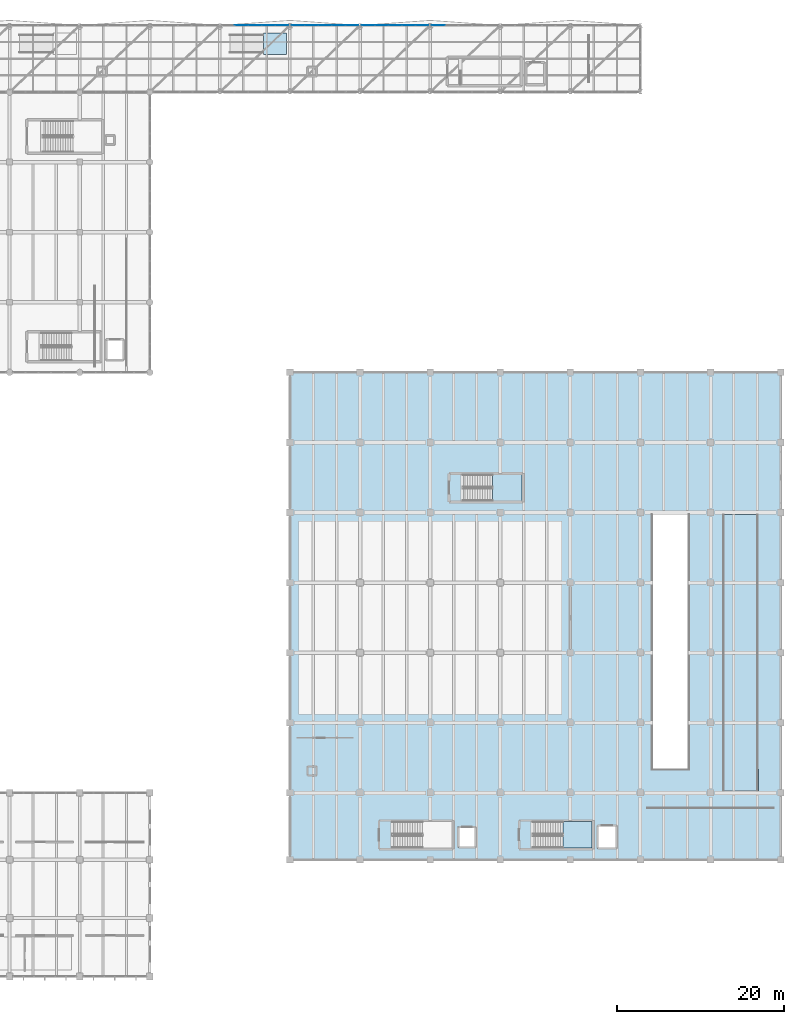
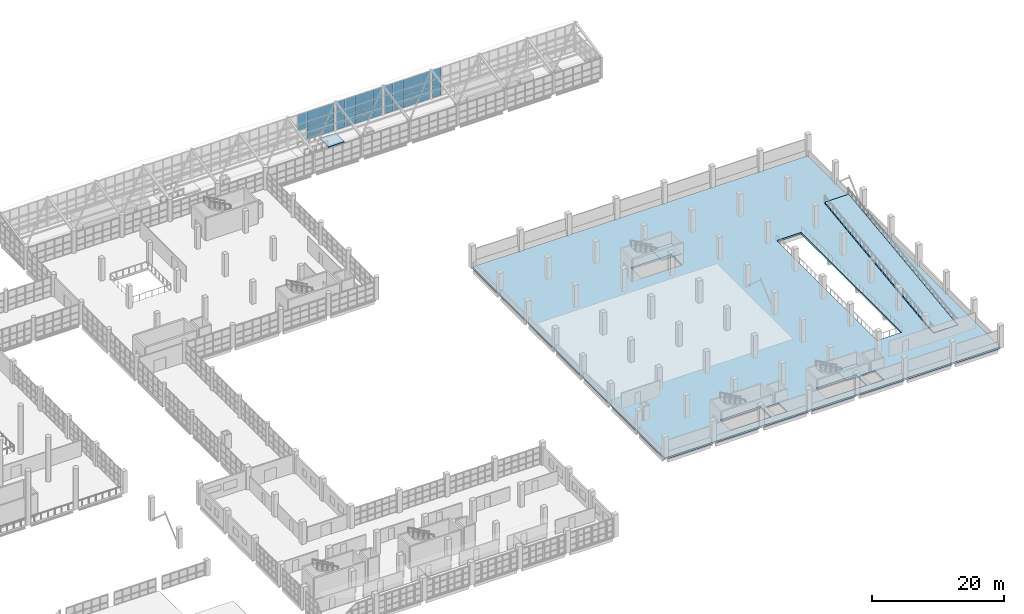
# One storey, part 138 of 177: 58 plates, 5 slabs, 6 elements without a shape of their own.
"""IFC4 building model written with IfcOpenShell, lengths in metres."""

from ifc_helpers import new_model, si_unit, direction, frame, origin, origin_2d, place, context, subcontext, project, spatial, polyline, rectangle, outline, extrude, material, layer, layer_set, type_object, element, aggregate, save


model = new_model("IFC4")

# Units and contexts
model_context = context("Model", 3, precision=1e-05, world=origin(), true_north=direction((0.0, 1.0)))
body_context = subcontext(model_context, "Body", "Model", "MODEL_VIEW")
ifc_project = project(units=[si_unit("LENGTHUNIT", "METRE"), si_unit("AREAUNIT", "SQUARE_METRE"), si_unit("VOLUMEUNIT", "CUBIC_METRE"), si_unit("PLANEANGLEUNIT", "RADIAN"), si_unit("MASSUNIT", "GRAM", prefix="KILO"), si_unit("THERMODYNAMICTEMPERATUREUNIT", "KELVIN"), si_unit("POWERUNIT", "WATT")], contexts=[model_context])

# Site, building, storey
site_placement = place(None, origin())
site = spatial("IfcSite", under=ifc_project, at=site_placement, CompositionType="ELEMENT")
building_placement = place(site_placement, origin())
building = spatial("IfcBuilding", under=site, at=building_placement, Name="Mavoryth Pier Ferry Terminal", CompositionType="ELEMENT")
storey_placement = place(building_placement, frame((0.0, 0.0, 5.43994140625)))
storey = spatial("IfcBuildingStorey", under=building, at=storey_placement, Name="L01", CompositionType="ELEMENT", Elevation=5.43994140625)

# Curtain wall, plates
ifc_material_1 = material(Name="Anodised Aluminium and Solar-Control Low-E Glass", Category="aluminium")
ifc_layer_1 = layer(ifc_material_1, 0.139892578125, Name="Anodised Aluminium and Solar-Control Low-E Glass", Category="aluminium")
ifc_layer_set_1 = layer_set([ifc_layer_1], Name="Anodised Aluminium and Solar-Control Low-E Glass - CW-Gallery-Mod1600")
curtain_wall_type = type_object("IfcCurtainWallType", Name="CW-Gallery-Mod1600", PredefinedType="USERDEFINED", material=ifc_layer_set_1)
curtain_wall_1_placement = place(storey_placement, origin())
curtain_wall_1 = element("IfcCurtainWall", 1, at=curtain_wall_1_placement, inside=storey, type_object=curtain_wall_type, Name="Curtain Wall CW-0122-084", ObjectType="UNITISED CURTAIN WALL", PredefinedType="USERDEFINED")
ifc_material_2 = material(Name="Solar-Control Low-E Laminated Double Glazing", Category="glass")
ifc_layer_2 = layer(ifc_material_2, 0.02392578125, Name="Solar-Control Low-E Laminated Double Glazing", Category="glass")
ifc_layer_set_2 = layer_set([ifc_layer_2], Name="Solar-Control Low-E Laminated Double Glazing - Panel-LowE-DGU-24")
plate_type = type_object("IfcPlateType", Name="Panel-LowE-DGU-24", PredefinedType="CURTAIN_PANEL", material=ifc_layer_set_2)
plate_1_placement = place(storey_placement, frame((108.22509765625, 114.0, 0.06005859375), z_axis=(0.0, 0.0, 1.0), x_axis=(-1.0, 0.0, 0.0)))
plate_1 = element("IfcPlate", 2, at=plate_1_placement, type_object=plate_type, Name="CW05 panel 1.1", PredefinedType="CURTAIN_PANEL", context=body_context, shape_type="SweptSolid", body=[
    extrude(rectangle(XDim=1.530029296875, YDim=0.02392578125, at=origin_2d()), origin(), (0.0, 0.0, 1.0), 0.9599609375),
])
plate_2_placement = place(storey_placement, frame((108.22509765625, 114.0, 1.080078125), z_axis=(0.0, 0.0, 1.0), x_axis=(-1.0, 0.0, 0.0)))
plate_2 = element("IfcPlate", 3, at=plate_2_placement, type_object=plate_type, Name="CW05 panel 1.2", PredefinedType="CURTAIN_PANEL", context=body_context, shape_type="SweptSolid", body=[
    extrude(rectangle(XDim=1.530029296875, YDim=0.02392578125, at=origin_2d()), origin(), (0.0, 0.0, 1.0), 1.139892578125),
])
plate_3_placement = place(storey_placement, frame((108.22509765625, 114.0, 2.2802734375), z_axis=(0.0, 0.0, 1.0), x_axis=(-1.0, 0.0, 0.0)))
plate_3 = element("IfcPlate", 4, at=plate_3_placement, type_object=plate_type, Name="CW05 panel 1.3", PredefinedType="CURTAIN_PANEL", context=body_context, shape_type="SweptSolid", body=[
    extrude(rectangle(XDim=1.530029296875, YDim=0.02392578125, at=origin_2d()), origin(), (0.0, 0.0, 1.0), 0.989990234375),
])
plate_4_placement = place(storey_placement, frame((108.22509765625, 114.0, 3.330078125), z_axis=(0.0, 0.0, 1.0), x_axis=(-1.0, 0.0, 0.0)))
plate_4 = element("IfcPlate", 5, at=plate_4_placement, type_object=plate_type, Name="CW05 panel 1.4", PredefinedType="CURTAIN_PANEL", context=body_context, shape_type="SweptSolid", body=[
    extrude(rectangle(XDim=1.530029296875, YDim=0.02392578125, at=origin_2d()), origin(), (0.0, 0.0, 1.0), 1.897705078125),
])
plate_5_placement = place(storey_placement, frame((106.6201171875, 114.0, 0.06005859375), z_axis=(0.0, 0.0, 1.0), x_axis=(-1.0, 0.0, 0.0)))
plate_5 = element("IfcPlate", 6, at=plate_5_placement, type_object=plate_type, Name="CW05 panel 2.1", PredefinedType="CURTAIN_PANEL", context=body_context, shape_type="SweptSolid", body=[
    extrude(rectangle(XDim=1.56005859375, YDim=0.02392578125, at=origin_2d()), origin(), (0.0, 0.0, 1.0), 0.9599609375),
])
plate_6_placement = place(storey_placement, frame((106.6201171875, 114.0, 1.080078125), z_axis=(0.0, 0.0, 1.0), x_axis=(-1.0, 0.0, 0.0)))
plate_6 = element("IfcPlate", 7, at=plate_6_placement, type_object=plate_type, Name="CW05 panel 2.2", PredefinedType="CURTAIN_PANEL", context=body_context, shape_type="SweptSolid", body=[
    extrude(rectangle(XDim=1.56005859375, YDim=0.02392578125, at=origin_2d()), origin(), (0.0, 0.0, 1.0), 1.139892578125),
])
plate_7_placement = place(storey_placement, frame((106.6201171875, 114.0, 2.2802734375), z_axis=(0.0, 0.0, 1.0), x_axis=(-1.0, 0.0, 0.0)))
plate_7 = element("IfcPlate", 8, at=plate_7_placement, type_object=plate_type, Name="CW05 panel 2.3", PredefinedType="CURTAIN_PANEL", context=body_context, shape_type="SweptSolid", body=[
    extrude(rectangle(XDim=1.56005859375, YDim=0.02392578125, at=origin_2d()), origin(), (0.0, 0.0, 1.0), 0.989990234375),
])
plate_8_placement = place(storey_placement, frame((106.6201171875, 114.0, 3.330078125), z_axis=(0.0, 0.0, 1.0), x_axis=(-1.0, 0.0, 0.0)))
plate_8 = element("IfcPlate", 9, at=plate_8_placement, type_object=plate_type, Name="CW05 panel 2.4", PredefinedType="CURTAIN_PANEL", context=body_context, shape_type="SweptSolid", body=[
    extrude(rectangle(XDim=1.56005859375, YDim=0.02392578125, at=origin_2d()), origin(), (0.0, 0.0, 1.0), 1.897705078125),
])
plate_9_placement = place(storey_placement, frame((105.0, 114.0, 0.06005859375), z_axis=(0.0, 0.0, 1.0), x_axis=(-1.0, 0.0, 0.0)))
plate_9 = element("IfcPlate", 10, at=plate_9_placement, type_object=plate_type, Name="CW05 panel 3.1", PredefinedType="CURTAIN_PANEL", context=body_context, shape_type="SweptSolid", body=[
    extrude(rectangle(XDim=1.56005859375, YDim=0.02392578125, at=origin_2d()), origin(), (0.0, 0.0, 1.0), 0.9599609375),
])
plate_10_placement = place(storey_placement, frame((105.0, 114.0, 1.080078125), z_axis=(0.0, 0.0, 1.0), x_axis=(-1.0, 0.0, 0.0)))
plate_10 = element("IfcPlate", 11, at=plate_10_placement, type_object=plate_type, Name="CW05 panel 3.2", PredefinedType="CURTAIN_PANEL", context=body_context, shape_type="SweptSolid", body=[
    extrude(rectangle(XDim=1.56005859375, YDim=0.02392578125, at=origin_2d()), origin(), (0.0, 0.0, 1.0), 1.139892578125),
])
plate_11_placement = place(storey_placement, frame((105.0, 114.0, 2.2802734375), z_axis=(0.0, 0.0, 1.0), x_axis=(-1.0, 0.0, 0.0)))
plate_11 = element("IfcPlate", 12, at=plate_11_placement, type_object=plate_type, Name="CW05 panel 3.3", PredefinedType="CURTAIN_PANEL", context=body_context, shape_type="SweptSolid", body=[
    extrude(rectangle(XDim=1.56005859375, YDim=0.02392578125, at=origin_2d()), origin(), (0.0, 0.0, 1.0), 0.989990234375),
])
plate_12_placement = place(storey_placement, frame((105.0, 114.0, 3.330078125), z_axis=(0.0, 0.0, 1.0), x_axis=(-1.0, 0.0, 0.0)))
plate_12 = element("IfcPlate", 13, at=plate_12_placement, type_object=plate_type, Name="CW05 panel 3.4", PredefinedType="CURTAIN_PANEL", context=body_context, shape_type="SweptSolid", body=[
    extrude(rectangle(XDim=1.56005859375, YDim=0.02392578125, at=origin_2d()), origin(), (0.0, 0.0, 1.0), 1.897705078125),
])
plate_13_placement = place(storey_placement, frame((103.3798828125, 114.0, 2.2802734375), z_axis=(0.0, 0.0, 1.0), x_axis=(-1.0, 0.0, 0.0)))
plate_13 = element("IfcPlate", 14, at=plate_13_placement, type_object=plate_type, Name="CW05 panel 4.3", PredefinedType="CURTAIN_PANEL", context=body_context, shape_type="SweptSolid", body=[
    extrude(rectangle(XDim=1.56005859375, YDim=0.02392578125, at=origin_2d()), origin(), (0.0, 0.0, 1.0), 0.989990234375),
])
plate_14_placement = place(storey_placement, frame((103.3798828125, 114.0, 3.330078125), z_axis=(0.0, 0.0, 1.0), x_axis=(-1.0, 0.0, 0.0)))
plate_14 = element("IfcPlate", 15, at=plate_14_placement, type_object=plate_type, Name="CW05 panel 4.4", PredefinedType="CURTAIN_PANEL", context=body_context, shape_type="SweptSolid", body=[
    extrude(rectangle(XDim=1.56005859375, YDim=0.02392578125, at=origin_2d()), origin(), (0.0, 0.0, 1.0), 1.897705078125),
])
aggregate(curtain_wall_1, [plate_1, plate_2, plate_3, plate_4, plate_5, plate_6, plate_7, plate_8, plate_9, plate_10, plate_11, plate_12, plate_13, plate_14])

curtain_wall_2_placement = place(storey_placement, origin())
curtain_wall_2 = element("IfcCurtainWall", 16, at=curtain_wall_2_placement, inside=storey, type_object=curtain_wall_type, Name="Curtain Wall CW-0122-086", ObjectType="UNITISED CURTAIN WALL", PredefinedType="USERDEFINED")
plate_15_placement = place(storey_placement, frame((116.625, 114.0, 0.06005859375), z_axis=(0.0, 0.0, 1.0), x_axis=(-1.0, 0.0, 0.0)))
plate_15 = element("IfcPlate", 17, at=plate_15_placement, type_object=plate_type, Name="CW05 panel 1.1", PredefinedType="CURTAIN_PANEL", context=body_context, shape_type="SweptSolid", body=[
    extrude(rectangle(XDim=1.530029296875, YDim=0.02392578125, at=origin_2d()), origin(), (0.0, 0.0, 1.0), 0.9599609375),
])
plate_16_placement = place(storey_placement, frame((116.625, 114.0, 1.080078125), z_axis=(0.0, 0.0, 1.0), x_axis=(-1.0, 0.0, 0.0)))
plate_16 = element("IfcPlate", 18, at=plate_16_placement, type_object=plate_type, Name="CW05 panel 1.2", PredefinedType="CURTAIN_PANEL", context=body_context, shape_type="SweptSolid", body=[
    extrude(rectangle(XDim=1.530029296875, YDim=0.02392578125, at=origin_2d()), origin(), (0.0, 0.0, 1.0), 1.139892578125),
])
plate_17_placement = place(storey_placement, frame((116.625, 114.0, 2.2802734375), z_axis=(0.0, 0.0, 1.0), x_axis=(-1.0, 0.0, 0.0)))
plate_17 = element("IfcPlate", 19, at=plate_17_placement, type_object=plate_type, Name="CW05 panel 1.3", PredefinedType="CURTAIN_PANEL", context=body_context, shape_type="SweptSolid", body=[
    extrude(rectangle(XDim=1.530029296875, YDim=0.02392578125, at=origin_2d()), origin(), (0.0, 0.0, 1.0), 0.989990234375),
])
plate_18_placement = place(storey_placement, frame((116.625, 114.0, 3.330078125), z_axis=(0.0, 0.0, 1.0), x_axis=(-1.0, 0.0, 0.0)))
plate_18 = element("IfcPlate", 20, at=plate_18_placement, type_object=plate_type, Name="CW05 panel 1.4", PredefinedType="CURTAIN_PANEL", context=body_context, shape_type="SweptSolid", body=[
    extrude(rectangle(XDim=1.530029296875, YDim=0.02392578125, at=origin_2d()), origin(), (0.0, 0.0, 1.0), 1.897705078125),
])
plate_19_placement = place(storey_placement, frame((115.02001953125, 114.0, 0.06005859375), z_axis=(0.0, 0.0, 1.0), x_axis=(-1.0, 0.0, 0.0)))
plate_19 = element("IfcPlate", 21, at=plate_19_placement, type_object=plate_type, Name="CW05 panel 2.1", PredefinedType="CURTAIN_PANEL", context=body_context, shape_type="SweptSolid", body=[
    extrude(rectangle(XDim=1.56005859375, YDim=0.02392578125, at=origin_2d()), origin(), (0.0, 0.0, 1.0), 0.9599609375),
])
plate_20_placement = place(storey_placement, frame((115.02001953125, 114.0, 1.080078125), z_axis=(0.0, 0.0, 1.0), x_axis=(-1.0, 0.0, 0.0)))
plate_20 = element("IfcPlate", 22, at=plate_20_placement, type_object=plate_type, Name="CW05 panel 2.2", PredefinedType="CURTAIN_PANEL", context=body_context, shape_type="SweptSolid", body=[
    extrude(rectangle(XDim=1.56005859375, YDim=0.02392578125, at=origin_2d()), origin(), (0.0, 0.0, 1.0), 1.139892578125),
])
plate_21_placement = place(storey_placement, frame((115.02001953125, 114.0, 2.2802734375), z_axis=(0.0, 0.0, 1.0), x_axis=(-1.0, 0.0, 0.0)))
plate_21 = element("IfcPlate", 23, at=plate_21_placement, type_object=plate_type, Name="CW05 panel 2.3", PredefinedType="CURTAIN_PANEL", context=body_context, shape_type="SweptSolid", body=[
    extrude(rectangle(XDim=1.56005859375, YDim=0.02392578125, at=origin_2d()), origin(), (0.0, 0.0, 1.0), 0.989990234375),
])
plate_22_placement = place(storey_placement, frame((115.02001953125, 114.0, 3.330078125), z_axis=(0.0, 0.0, 1.0), x_axis=(-1.0, 0.0, 0.0)))
plate_22 = element("IfcPlate", 24, at=plate_22_placement, type_object=plate_type, Name="CW05 panel 2.4", PredefinedType="CURTAIN_PANEL", context=body_context, shape_type="SweptSolid", body=[
    extrude(rectangle(XDim=1.56005859375, YDim=0.02392578125, at=origin_2d()), origin(), (0.0, 0.0, 1.0), 1.897705078125),
])
plate_23_placement = place(storey_placement, frame((113.39990234375, 114.0, 0.06005859375), z_axis=(0.0, 0.0, 1.0), x_axis=(-1.0, 0.0, 0.0)))
plate_23 = element("IfcPlate", 25, at=plate_23_placement, type_object=plate_type, Name="CW05 panel 3.1", PredefinedType="CURTAIN_PANEL", context=body_context, shape_type="SweptSolid", body=[
    extrude(rectangle(XDim=1.56005859375, YDim=0.02392578125, at=origin_2d()), origin(), (0.0, 0.0, 1.0), 0.9599609375),
])
plate_24_placement = place(storey_placement, frame((113.39990234375, 114.0, 1.080078125), z_axis=(0.0, 0.0, 1.0), x_axis=(-1.0, 0.0, 0.0)))
plate_24 = element("IfcPlate", 26, at=plate_24_placement, type_object=plate_type, Name="CW05 panel 3.2", PredefinedType="CURTAIN_PANEL", context=body_context, shape_type="SweptSolid", body=[
    extrude(rectangle(XDim=1.56005859375, YDim=0.02392578125, at=origin_2d()), origin(), (0.0, 0.0, 1.0), 1.139892578125),
])
plate_25_placement = place(storey_placement, frame((113.39990234375, 114.0, 2.2802734375), z_axis=(0.0, 0.0, 1.0), x_axis=(-1.0, 0.0, 0.0)))
plate_25 = element("IfcPlate", 27, at=plate_25_placement, type_object=plate_type, Name="CW05 panel 3.3", PredefinedType="CURTAIN_PANEL", context=body_context, shape_type="SweptSolid", body=[
    extrude(rectangle(XDim=1.56005859375, YDim=0.02392578125, at=origin_2d()), origin(), (0.0, 0.0, 1.0), 0.989990234375),
])
plate_26_placement = place(storey_placement, frame((113.39990234375, 114.0, 3.330078125), z_axis=(0.0, 0.0, 1.0), x_axis=(-1.0, 0.0, 0.0)))
plate_26 = element("IfcPlate", 28, at=plate_26_placement, type_object=plate_type, Name="CW05 panel 3.4", PredefinedType="CURTAIN_PANEL", context=body_context, shape_type="SweptSolid", body=[
    extrude(rectangle(XDim=1.56005859375, YDim=0.02392578125, at=origin_2d()), origin(), (0.0, 0.0, 1.0), 1.897705078125),
])
plate_27_placement = place(storey_placement, frame((111.780029296875, 114.0, 0.06005859375), z_axis=(0.0, 0.0, 1.0), x_axis=(-1.0, 0.0, 0.0)))
plate_27 = element("IfcPlate", 29, at=plate_27_placement, type_object=plate_type, Name="CW05 panel 4.1", PredefinedType="CURTAIN_PANEL", context=body_context, shape_type="SweptSolid", body=[
    extrude(rectangle(XDim=1.56005859375, YDim=0.02392578125, at=origin_2d()), origin(), (0.0, 0.0, 1.0), 0.9599609375),
])
plate_28_placement = place(storey_placement, frame((111.780029296875, 114.0, 1.080078125), z_axis=(0.0, 0.0, 1.0), x_axis=(-1.0, 0.0, 0.0)))
plate_28 = element("IfcPlate", 30, at=plate_28_placement, type_object=plate_type, Name="CW05 panel 4.2", PredefinedType="CURTAIN_PANEL", context=body_context, shape_type="SweptSolid", body=[
    extrude(rectangle(XDim=1.56005859375, YDim=0.02392578125, at=origin_2d()), origin(), (0.0, 0.0, 1.0), 1.139892578125),
])
plate_29_placement = place(storey_placement, frame((111.780029296875, 114.0, 2.2802734375), z_axis=(0.0, 0.0, 1.0), x_axis=(-1.0, 0.0, 0.0)))
plate_29 = element("IfcPlate", 31, at=plate_29_placement, type_object=plate_type, Name="CW05 panel 4.3", PredefinedType="CURTAIN_PANEL", context=body_context, shape_type="SweptSolid", body=[
    extrude(rectangle(XDim=1.56005859375, YDim=0.02392578125, at=origin_2d()), origin(), (0.0, 0.0, 1.0), 0.989990234375),
])
plate_30_placement = place(storey_placement, frame((111.780029296875, 114.0, 3.330078125), z_axis=(0.0, 0.0, 1.0), x_axis=(-1.0, 0.0, 0.0)))
plate_30 = element("IfcPlate", 32, at=plate_30_placement, type_object=plate_type, Name="CW05 panel 4.4", PredefinedType="CURTAIN_PANEL", context=body_context, shape_type="SweptSolid", body=[
    extrude(rectangle(XDim=1.56005859375, YDim=0.02392578125, at=origin_2d()), origin(), (0.0, 0.0, 1.0), 1.897705078125),
])
plate_31_placement = place(storey_placement, frame((110.175048828125, 114.0, 0.06005859375), z_axis=(0.0, 0.0, 1.0), x_axis=(-1.0, 0.0, 0.0)))
plate_31 = element("IfcPlate", 33, at=plate_31_placement, type_object=plate_type, Name="CW05 panel 5.1", PredefinedType="CURTAIN_PANEL", context=body_context, shape_type="SweptSolid", body=[
    extrude(rectangle(XDim=1.530029296875, YDim=0.02392578125, at=origin_2d()), origin(), (0.0, 0.0, 1.0), 0.9599609375),
])
plate_32_placement = place(storey_placement, frame((110.175048828125, 114.0, 1.080078125), z_axis=(0.0, 0.0, 1.0), x_axis=(-1.0, 0.0, 0.0)))
plate_32 = element("IfcPlate", 34, at=plate_32_placement, type_object=plate_type, Name="CW05 panel 5.2", PredefinedType="CURTAIN_PANEL", context=body_context, shape_type="SweptSolid", body=[
    extrude(rectangle(XDim=1.530029296875, YDim=0.02392578125, at=origin_2d()), origin(), (0.0, 0.0, 1.0), 1.139892578125),
])
plate_33_placement = place(storey_placement, frame((110.175048828125, 114.0, 2.2802734375), z_axis=(0.0, 0.0, 1.0), x_axis=(-1.0, 0.0, 0.0)))
plate_33 = element("IfcPlate", 35, at=plate_33_placement, type_object=plate_type, Name="CW05 panel 5.3", PredefinedType="CURTAIN_PANEL", context=body_context, shape_type="SweptSolid", body=[
    extrude(rectangle(XDim=1.530029296875, YDim=0.02392578125, at=origin_2d()), origin(), (0.0, 0.0, 1.0), 0.989990234375),
])
plate_34_placement = place(storey_placement, frame((110.175048828125, 114.0, 3.330078125), z_axis=(0.0, 0.0, 1.0), x_axis=(-1.0, 0.0, 0.0)))
plate_34 = element("IfcPlate", 36, at=plate_34_placement, type_object=plate_type, Name="CW05 panel 5.4", PredefinedType="CURTAIN_PANEL", context=body_context, shape_type="SweptSolid", body=[
    extrude(rectangle(XDim=1.530029296875, YDim=0.02392578125, at=origin_2d()), origin(), (0.0, 0.0, 1.0), 1.897705078125),
])
aggregate(curtain_wall_2, [plate_15, plate_16, plate_17, plate_18, plate_19, plate_20, plate_21, plate_22, plate_23, plate_24, plate_25, plate_26, plate_27, plate_28, plate_29, plate_30, plate_31, plate_32, plate_33, plate_34])

curtain_wall_3_placement = place(storey_placement, origin())
curtain_wall_3 = element("IfcCurtainWall", 37, at=curtain_wall_3_placement, inside=storey, type_object=curtain_wall_type, Name="Curtain Wall CW-0122-088", ObjectType="UNITISED CURTAIN WALL", PredefinedType="USERDEFINED")
plate_35_placement = place(storey_placement, frame((125.02490234375, 114.0, 0.06005859375), z_axis=(0.0, 0.0, 1.0), x_axis=(-1.0, 0.0, 0.0)))
plate_35 = element("IfcPlate", 38, at=plate_35_placement, type_object=plate_type, Name="CW05 panel 1.1", PredefinedType="CURTAIN_PANEL", context=body_context, shape_type="SweptSolid", body=[
    extrude(rectangle(XDim=1.530029296875, YDim=0.02392578125, at=origin_2d()), origin(), (0.0, 0.0, 1.0), 0.9599609375),
])
plate_36_placement = place(storey_placement, frame((125.02490234375, 114.0, 1.080078125), z_axis=(0.0, 0.0, 1.0), x_axis=(-1.0, 0.0, 0.0)))
plate_36 = element("IfcPlate", 39, at=plate_36_placement, type_object=plate_type, Name="CW05 panel 1.2", PredefinedType="CURTAIN_PANEL", context=body_context, shape_type="SweptSolid", body=[
    extrude(rectangle(XDim=1.530029296875, YDim=0.02392578125, at=origin_2d()), origin(), (0.0, 0.0, 1.0), 1.139892578125),
])
plate_37_placement = place(storey_placement, frame((125.02490234375, 114.0, 2.2802734375), z_axis=(0.0, 0.0, 1.0), x_axis=(-1.0, 0.0, 0.0)))
plate_37 = element("IfcPlate", 40, at=plate_37_placement, type_object=plate_type, Name="CW05 panel 1.3", PredefinedType="CURTAIN_PANEL", context=body_context, shape_type="SweptSolid", body=[
    extrude(rectangle(XDim=1.530029296875, YDim=0.02392578125, at=origin_2d()), origin(), (0.0, 0.0, 1.0), 0.989990234375),
])
plate_38_placement = place(storey_placement, frame((125.02490234375, 114.0, 3.330078125), z_axis=(0.0, 0.0, 1.0), x_axis=(-1.0, 0.0, 0.0)))
plate_38 = element("IfcPlate", 41, at=plate_38_placement, type_object=plate_type, Name="CW05 panel 1.4", PredefinedType="CURTAIN_PANEL", context=body_context, shape_type="SweptSolid", body=[
    extrude(rectangle(XDim=1.530029296875, YDim=0.02392578125, at=origin_2d()), origin(), (0.0, 0.0, 1.0), 1.897705078125),
])
plate_39_placement = place(storey_placement, frame((123.419921875, 114.0, 0.06005859375), z_axis=(0.0, 0.0, 1.0), x_axis=(-1.0, 0.0, 0.0)))
plate_39 = element("IfcPlate", 42, at=plate_39_placement, type_object=plate_type, Name="CW05 panel 2.1", PredefinedType="CURTAIN_PANEL", context=body_context, shape_type="SweptSolid", body=[
    extrude(rectangle(XDim=1.56005859375, YDim=0.02392578125, at=origin_2d()), origin(), (0.0, 0.0, 1.0), 0.9599609375),
])
plate_40_placement = place(storey_placement, frame((123.419921875, 114.0, 1.080078125), z_axis=(0.0, 0.0, 1.0), x_axis=(-1.0, 0.0, 0.0)))
plate_40 = element("IfcPlate", 43, at=plate_40_placement, type_object=plate_type, Name="CW05 panel 2.2", PredefinedType="CURTAIN_PANEL", context=body_context, shape_type="SweptSolid", body=[
    extrude(rectangle(XDim=1.56005859375, YDim=0.02392578125, at=origin_2d()), origin(), (0.0, 0.0, 1.0), 1.139892578125),
])
plate_41_placement = place(storey_placement, frame((123.419921875, 114.0, 2.2802734375), z_axis=(0.0, 0.0, 1.0), x_axis=(-1.0, 0.0, 0.0)))
plate_41 = element("IfcPlate", 44, at=plate_41_placement, type_object=plate_type, Name="CW05 panel 2.3", PredefinedType="CURTAIN_PANEL", context=body_context, shape_type="SweptSolid", body=[
    extrude(rectangle(XDim=1.56005859375, YDim=0.02392578125, at=origin_2d()), origin(), (0.0, 0.0, 1.0), 0.989990234375),
])
plate_42_placement = place(storey_placement, frame((123.419921875, 114.0, 3.330078125), z_axis=(0.0, 0.0, 1.0), x_axis=(-1.0, 0.0, 0.0)))
plate_42 = element("IfcPlate", 45, at=plate_42_placement, type_object=plate_type, Name="CW05 panel 2.4", PredefinedType="CURTAIN_PANEL", context=body_context, shape_type="SweptSolid", body=[
    extrude(rectangle(XDim=1.56005859375, YDim=0.02392578125, at=origin_2d()), origin(), (0.0, 0.0, 1.0), 1.897705078125),
])
plate_43_placement = place(storey_placement, frame((121.800048828125, 114.0, 0.06005859375), z_axis=(0.0, 0.0, 1.0), x_axis=(-1.0, 0.0, 0.0)))
plate_43 = element("IfcPlate", 46, at=plate_43_placement, type_object=plate_type, Name="CW05 panel 3.1", PredefinedType="CURTAIN_PANEL", context=body_context, shape_type="SweptSolid", body=[
    extrude(rectangle(XDim=1.56005859375, YDim=0.02392578125, at=origin_2d()), origin(), (0.0, 0.0, 1.0), 0.9599609375),
])
plate_44_placement = place(storey_placement, frame((121.800048828125, 114.0, 1.080078125), z_axis=(0.0, 0.0, 1.0), x_axis=(-1.0, 0.0, 0.0)))
plate_44 = element("IfcPlate", 47, at=plate_44_placement, type_object=plate_type, Name="CW05 panel 3.2", PredefinedType="CURTAIN_PANEL", context=body_context, shape_type="SweptSolid", body=[
    extrude(rectangle(XDim=1.56005859375, YDim=0.02392578125, at=origin_2d()), origin(), (0.0, 0.0, 1.0), 1.139892578125),
])
plate_45_placement = place(storey_placement, frame((121.800048828125, 114.0, 2.2802734375), z_axis=(0.0, 0.0, 1.0), x_axis=(-1.0, 0.0, 0.0)))
plate_45 = element("IfcPlate", 48, at=plate_45_placement, type_object=plate_type, Name="CW05 panel 3.3", PredefinedType="CURTAIN_PANEL", context=body_context, shape_type="SweptSolid", body=[
    extrude(rectangle(XDim=1.56005859375, YDim=0.02392578125, at=origin_2d()), origin(), (0.0, 0.0, 1.0), 0.989990234375),
])
plate_46_placement = place(storey_placement, frame((121.800048828125, 114.0, 3.330078125), z_axis=(0.0, 0.0, 1.0), x_axis=(-1.0, 0.0, 0.0)))
plate_46 = element("IfcPlate", 49, at=plate_46_placement, type_object=plate_type, Name="CW05 panel 3.4", PredefinedType="CURTAIN_PANEL", context=body_context, shape_type="SweptSolid", body=[
    extrude(rectangle(XDim=1.56005859375, YDim=0.02392578125, at=origin_2d()), origin(), (0.0, 0.0, 1.0), 1.897705078125),
])
plate_47_placement = place(storey_placement, frame((120.179931640625, 114.0, 0.06005859375), z_axis=(0.0, 0.0, 1.0), x_axis=(-1.0, 0.0, 0.0)))
plate_47 = element("IfcPlate", 50, at=plate_47_placement, type_object=plate_type, Name="CW05 panel 4.1", PredefinedType="CURTAIN_PANEL", context=body_context, shape_type="SweptSolid", body=[
    extrude(rectangle(XDim=1.56005859375, YDim=0.02392578125, at=origin_2d()), origin(), (0.0, 0.0, 1.0), 0.9599609375),
])
plate_48_placement = place(storey_placement, frame((120.179931640625, 114.0, 1.080078125), z_axis=(0.0, 0.0, 1.0), x_axis=(-1.0, 0.0, 0.0)))
plate_48 = element("IfcPlate", 51, at=plate_48_placement, type_object=plate_type, Name="CW05 panel 4.2", PredefinedType="CURTAIN_PANEL", context=body_context, shape_type="SweptSolid", body=[
    extrude(rectangle(XDim=1.56005859375, YDim=0.02392578125, at=origin_2d()), origin(), (0.0, 0.0, 1.0), 1.139892578125),
])
plate_49_placement = place(storey_placement, frame((120.179931640625, 114.0, 2.2802734375), z_axis=(0.0, 0.0, 1.0), x_axis=(-1.0, 0.0, 0.0)))
plate_49 = element("IfcPlate", 52, at=plate_49_placement, type_object=plate_type, Name="CW05 panel 4.3", PredefinedType="CURTAIN_PANEL", context=body_context, shape_type="SweptSolid", body=[
    extrude(rectangle(XDim=1.56005859375, YDim=0.02392578125, at=origin_2d()), origin(), (0.0, 0.0, 1.0), 0.989990234375),
])
plate_50_placement = place(storey_placement, frame((120.179931640625, 114.0, 3.330078125), z_axis=(0.0, 0.0, 1.0), x_axis=(-1.0, 0.0, 0.0)))
plate_50 = element("IfcPlate", 53, at=plate_50_placement, type_object=plate_type, Name="CW05 panel 4.4", PredefinedType="CURTAIN_PANEL", context=body_context, shape_type="SweptSolid", body=[
    extrude(rectangle(XDim=1.56005859375, YDim=0.02392578125, at=origin_2d()), origin(), (0.0, 0.0, 1.0), 1.897705078125),
])
plate_51_placement = place(storey_placement, frame((118.574951171875, 114.0, 0.06005859375), z_axis=(0.0, 0.0, 1.0), x_axis=(-1.0, 0.0, 0.0)))
plate_51 = element("IfcPlate", 54, at=plate_51_placement, type_object=plate_type, Name="CW05 panel 5.1", PredefinedType="CURTAIN_PANEL", context=body_context, shape_type="SweptSolid", body=[
    extrude(rectangle(XDim=1.530029296875, YDim=0.02392578125, at=origin_2d()), origin(), (0.0, 0.0, 1.0), 0.9599609375),
])
plate_52_placement = place(storey_placement, frame((118.574951171875, 114.0, 1.080078125), z_axis=(0.0, 0.0, 1.0), x_axis=(-1.0, 0.0, 0.0)))
plate_52 = element("IfcPlate", 55, at=plate_52_placement, type_object=plate_type, Name="CW05 panel 5.2", PredefinedType="CURTAIN_PANEL", context=body_context, shape_type="SweptSolid", body=[
    extrude(rectangle(XDim=1.530029296875, YDim=0.02392578125, at=origin_2d()), origin(), (0.0, 0.0, 1.0), 1.139892578125),
])
plate_53_placement = place(storey_placement, frame((118.574951171875, 114.0, 2.2802734375), z_axis=(0.0, 0.0, 1.0), x_axis=(-1.0, 0.0, 0.0)))
plate_53 = element("IfcPlate", 56, at=plate_53_placement, type_object=plate_type, Name="CW05 panel 5.3", PredefinedType="CURTAIN_PANEL", context=body_context, shape_type="SweptSolid", body=[
    extrude(rectangle(XDim=1.530029296875, YDim=0.02392578125, at=origin_2d()), origin(), (0.0, 0.0, 1.0), 0.989990234375),
])
plate_54_placement = place(storey_placement, frame((118.574951171875, 114.0, 3.330078125), z_axis=(0.0, 0.0, 1.0), x_axis=(-1.0, 0.0, 0.0)))
plate_54 = element("IfcPlate", 57, at=plate_54_placement, type_object=plate_type, Name="CW05 panel 5.4", PredefinedType="CURTAIN_PANEL", context=body_context, shape_type="SweptSolid", body=[
    extrude(rectangle(XDim=1.530029296875, YDim=0.02392578125, at=origin_2d()), origin(), (0.0, 0.0, 1.0), 1.897705078125),
])
aggregate(curtain_wall_3, [plate_35, plate_36, plate_37, plate_38, plate_39, plate_40, plate_41, plate_42, plate_43, plate_44, plate_45, plate_46, plate_47, plate_48, plate_49, plate_50, plate_51, plate_52, plate_53, plate_54])

curtain_wall_4_placement = place(storey_placement, origin())
curtain_wall_4 = element("IfcCurtainWall", 58, at=curtain_wall_4_placement, inside=storey, type_object=curtain_wall_type, Name="Curtain Wall CW-0122-090", ObjectType="UNITISED CURTAIN WALL", PredefinedType="USERDEFINED")
plate_55_placement = place(storey_placement, frame((126.97509765625, 114.0, 0.06005859375), z_axis=(0.0, 0.0, 1.0), x_axis=(-1.0, 0.0, 0.0)))
plate_55 = element("IfcPlate", 59, at=plate_55_placement, type_object=plate_type, Name="CW05 panel 5.1", PredefinedType="CURTAIN_PANEL", context=body_context, shape_type="SweptSolid", body=[
    extrude(rectangle(XDim=1.530029296875, YDim=0.02392578125, at=origin_2d()), origin(), (0.0, 0.0, 1.0), 0.9599609375),
])
plate_56_placement = place(storey_placement, frame((126.97509765625, 114.0, 1.080078125), z_axis=(0.0, 0.0, 1.0), x_axis=(-1.0, 0.0, 0.0)))
plate_56 = element("IfcPlate", 60, at=plate_56_placement, type_object=plate_type, Name="CW05 panel 5.2", PredefinedType="CURTAIN_PANEL", context=body_context, shape_type="SweptSolid", body=[
    extrude(rectangle(XDim=1.530029296875, YDim=0.02392578125, at=origin_2d()), origin(), (0.0, 0.0, 1.0), 1.139892578125),
])
plate_57_placement = place(storey_placement, frame((126.97509765625, 114.0, 2.2802734375), z_axis=(0.0, 0.0, 1.0), x_axis=(-1.0, 0.0, 0.0)))
plate_57 = element("IfcPlate", 61, at=plate_57_placement, type_object=plate_type, Name="CW05 panel 5.3", PredefinedType="CURTAIN_PANEL", context=body_context, shape_type="SweptSolid", body=[
    extrude(rectangle(XDim=1.530029296875, YDim=0.02392578125, at=origin_2d()), origin(), (0.0, 0.0, 1.0), 0.989990234375),
])
plate_58_placement = place(storey_placement, frame((126.97509765625, 114.0, 3.330078125), z_axis=(0.0, 0.0, 1.0), x_axis=(-1.0, 0.0, 0.0)))
plate_58 = element("IfcPlate", 62, at=plate_58_placement, type_object=plate_type, Name="CW05 panel 5.4", PredefinedType="CURTAIN_PANEL", context=body_context, shape_type="SweptSolid", body=[
    extrude(rectangle(XDim=1.530029296875, YDim=0.02392578125, at=origin_2d()), origin(), (0.0, 0.0, 1.0), 1.897705078125),
])
aggregate(curtain_wall_4, [plate_55, plate_56, plate_57, plate_58])

# Slabs
ifc_material_3 = material(Name="Concrete C35/45", Category="concrete")
ifc_layer_3 = layer(ifc_material_3, 0.239990234375, Name="Concrete C35/45", Category="concrete")
ifc_layer_set_3 = layer_set([ifc_layer_3], Name="Concrete C35/45 - Slab-Floor-Bridge-240")
slab_type_1 = type_object("IfcSlabType", Name="Slab-Floor-Bridge-240", PredefinedType="FLOOR", material=ifc_layer_set_3)
slab_1_placement = place(storey_placement, origin())
element("IfcSlab", 63, at=slab_1_placement, inside=storey, type_object=slab_type_1, Name="Slab SLB-BR02-TOP", PredefinedType="FLOOR", context=body_context, shape_type="SweptSolid", body=[
    extrude(outline(polyline([(106.0, 110.5), (108.800048828125, 110.5), (108.800048828125, 113.10009765625), (106.0, 113.10009765625), (106.0, 110.5)])), origin(), (0.0, 0.0, 1.0), 0.239990234375),
])
ifc_material_4 = material(Name="Concrete C40/50", Category="concrete")
ifc_layer_4 = layer(ifc_material_4, 0.320068359375, Name="Concrete C40/50", Category="concrete")
ifc_layer_set_4 = layer_set([ifc_layer_4], Name="Concrete C40/50 - Slab-Floor-Vehicle-320")
slab_type_2 = type_object("IfcSlabType", Name="Slab-Floor-Vehicle-320", PredefinedType="FLOOR", material=ifc_layer_set_4)
slab_2_placement = place(storey_placement, frame((0.0, 0.0, -0.31982421875)))
element("IfcSlab", 64, at=slab_2_placement, inside=storey, type_object=slab_type_2, Name="Slab SLB-V4-L01", PredefinedType="FLOOR", context=body_context, shape_type="SweptSolid", body=[
    extrude(outline(polyline([(109.199951171875, 14.0), (168.0, 14.0), (168.0, 72.39990234375), (109.199951171875, 72.39990234375), (109.199951171875, 14.0)]), holes=[polyline([(121.5, 15.39990234375), (128.60009765625, 15.39990234375), (128.60009765625, 18.550048828125), (121.5, 18.550048828125), (121.5, 15.39990234375)]), polyline([(138.300048828125, 15.39990234375), (145.39990234375, 15.39990234375), (145.39990234375, 18.550048828125), (138.300048828125, 18.550048828125), (138.300048828125, 15.39990234375)]), polyline([(129.89990234375, 57.0), (137.0, 57.0), (137.0, 60.14990234375), (129.89990234375, 60.14990234375), (129.89990234375, 57.0)]), polyline([(129.35009765625, 15.449951171875), (131.449951171875, 15.449951171875), (131.449951171875, 17.949951171875), (129.35009765625, 17.949951171875), (129.35009765625, 15.449951171875)]), polyline([(146.050048828125, 15.300048828125), (148.35009765625, 15.300048828125), (148.35009765625, 18.10009765625), (146.050048828125, 18.10009765625), (146.050048828125, 15.300048828125)]), polyline([(152.659912109375, 24.85009765625), (156.93994140625, 24.85009765625), (156.93994140625, 55.35009765625), (152.659912109375, 55.35009765625), (152.659912109375, 24.85009765625)]), polyline([(161.06005859375, 22.25), (165.340087890625, 22.25), (165.340087890625, 24.85009765625), (161.06005859375, 24.85009765625), (161.06005859375, 22.25)])]), origin(), (0.0, 0.0, 1.0), 0.31982421875),
])

# Stair, slab
stair_type = type_object("IfcStairType", Name="Stair-Core-W1500", PredefinedType="TWO_STRAIGHT_RUN_STAIR", material=ifc_material_3)
stair_1_placement = place(storey_placement, origin())
stair_1 = element("IfcStair", 65, at=stair_1_placement, inside=storey, type_object=stair_type, Name="L01 Core C4B Stair", PredefinedType="TWO_STRAIGHT_RUN_STAIR")
ifc_layer_5 = layer(ifc_material_3, 0.199951171875, Name="Concrete C35/45", Category="concrete")
ifc_layer_set_5 = layer_set([ifc_layer_5], Name="Concrete C35/45 - Slab-Landing-RC-200")
slab_type_3 = type_object("IfcSlabType", Name="Slab-Landing-RC-200", PredefinedType="LANDING", material=ifc_layer_set_5)
slab_3_placement = place(storey_placement, frame((0.0, 0.0, 1.880126953125)))
slab_3 = element("IfcSlab", 66, at=slab_3_placement, type_object=slab_type_3, Name="ST09 landing 1", PredefinedType="LANDING", context=body_context, shape_type="SweptSolid", body=[
    extrude(outline(polyline([(141.89990234375, 15.39990234375), (145.39990234375, 15.39990234375), (145.39990234375, 18.550048828125), (141.89990234375, 18.550048828125), (141.89990234375, 15.39990234375)])), origin(), (0.0, 0.0, 1.0), 0.199951171875),
])
aggregate(stair_1, [slab_3])

stair_2_placement = place(storey_placement, origin())
stair_2 = element("IfcStair", 67, at=stair_2_placement, inside=storey, type_object=stair_type, Name="L01 Core C4C Stair", PredefinedType="TWO_STRAIGHT_RUN_STAIR")
slab_4_placement = place(storey_placement, frame((0.0, 0.0, 1.880126953125)))
slab_4 = element("IfcSlab", 68, at=slab_4_placement, type_object=slab_type_3, Name="ST10 landing 1", PredefinedType="LANDING", context=body_context, shape_type="SweptSolid", body=[
    extrude(outline(polyline([(133.5, 57.0), (137.0, 57.0), (137.0, 60.14990234375), (133.5, 60.14990234375), (133.5, 57.0)])), origin(), (0.0, 0.0, 1.0), 0.199951171875),
])
aggregate(stair_2, [slab_4])

# Slab
ifc_layer_6 = layer(ifc_material_4, 0.280029296875, Name="Concrete C40/50", Category="concrete")
ifc_layer_set_6 = layer_set([ifc_layer_6], Name="Concrete C40/50 - Slab-Ramp-Vehicle-280")
slab_type_4 = type_object("IfcSlabType", Name="Slab-Ramp-Vehicle-280", PredefinedType="FLOOR", material=ifc_layer_set_6)
slab_5_placement = place(storey_placement, frame((161.10009765625, 22.260009765625, 0.0), z_axis=(0.0, -0.124777325466, 0.99218477062), x_axis=(1.0, 0.0, 0.0)))
element("IfcSlab", 69, at=slab_5_placement, inside=storey, type_object=slab_type_4, Name="Vehicle Ramp VR02 Structural Slab", PredefinedType="FLOOR", context=body_context, shape_type="SweptSolid", body=[
    extrude(outline(polyline([(0.0, 0.0), (4.199951171875, 0.0), (4.199951171875, 33.34064289692863), (0.0, 33.34064289692863), (0.0, 0.0)])), origin(), (0.0, 0.0, -1.0), 0.280029296875),
])

save(model, "model.ifc")
